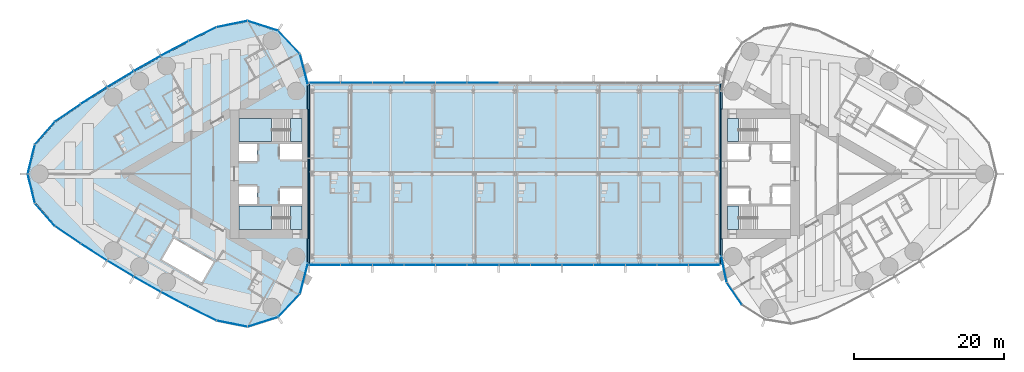
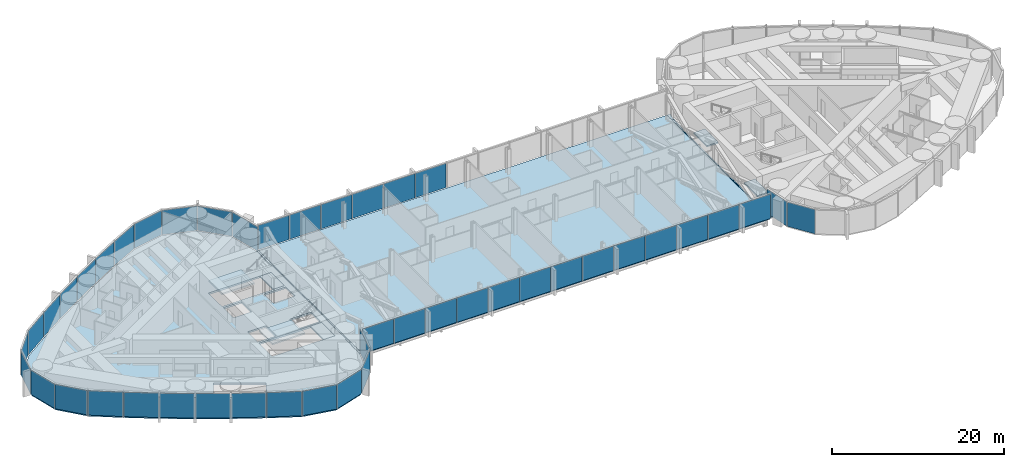
# One storey, part 13 of 24: 47 plates, 8 slabs, 8 elements without a shape of their own.
"""IFC4 building model written with IfcOpenShell, lengths in metres."""

import ifcopenshell
import ifcopenshell.guid

model = None  # the IFC model being written
_history = None  # IfcOwnerHistory: only IFC2X3 demands one
_inside = {}  # id of a spatial element -> (the spatial element, [elements in it])
_under = {}  # id of a project, library or spatial element -> (it, [spatial elements below it])
_declared = {}  # id of a project -> (the project, [libraries it declares])
_typed = {}  # id of a type object -> (the type object, [elements of that type])
_made_of = {}  # id of a material, layer set ... -> (it, [elements and type objects made of it])


def new_model(schema):
    """Start an empty IFC model of exactly this schema.

    Asked for "IFC4X3", IfcOpenShell would pick the latest addendum, in which some entities
    have other attributes; the version numbers below select the first issue.
    IFC2X3 requires an IfcOwnerHistory on every rooted entity: one is made here for all.
    """
    global model, _history
    if schema == "IFC4X3":
        model = ifcopenshell.file(schema_version=(4, 3, 0, 0))
    else:
        model = ifcopenshell.file(schema=schema)
    _inside.clear()
    _under.clear()
    _declared.clear()
    _typed.clear()
    _made_of.clear()
    _history = None
    if model.schema == "IFC2X3":
        org = make("IfcOrganization", Name="unknown")
        user = make(
            "IfcPersonAndOrganization",
            ThePerson=make("IfcPerson", FamilyName="unknown"),
            TheOrganization=org,
        )
        app = make(
            "IfcApplication",
            ApplicationDeveloper=org,
            Version="unknown",
            ApplicationFullName="unknown",
            ApplicationIdentifier="unknown",
        )
        _history = make(
            "IfcOwnerHistory",
            OwningUser=user,
            OwningApplication=app,
            ChangeAction="ADDED",
            CreationDate=0,
        )
    return model


def make(cls, **values):
    """One entity of the class cls with the attributes given. An attribute that is None is left unset."""
    return model.create_entity(
        cls, **{name: value for name, value in values.items() if value is not None}
    )


def rooted(cls, **values):
    """An entity with a GlobalId (a new one), such as an element, a storey or a relation."""
    return make(cls, GlobalId=ifcopenshell.guid.new(), OwnerHistory=_history, **values)


def si_unit(unit_type, name, prefix=None):
    """IfcSIUnit, for example si_unit("LENGTHUNIT", "METRE", prefix="MILLI")."""
    return make("IfcSIUnit", UnitType=unit_type, Prefix=prefix, Name=name)


def assignment(units):
    """IfcUnitAssignment: the units of a project."""
    return None if units is None else make("IfcUnitAssignment", Units=units)


def point(xyz):
    """IfcCartesianPoint."""
    return None if xyz is None else make("IfcCartesianPoint", Coordinates=xyz)


def direction(xyz):
    """IfcDirection."""
    return None if xyz is None else make("IfcDirection", DirectionRatios=xyz)


def frame(location, z_axis=None, x_axis=None):
    """IfcAxis2Placement3D, a coordinate frame: its origin and axes. An axis left out is left unset."""
    return make(
        "IfcAxis2Placement3D",
        Location=point(location),
        Axis=direction(z_axis),
        RefDirection=direction(x_axis),
    )


def frame_2d(location, x_axis=None):
    """IfcAxis2Placement2D, a coordinate frame in the plane: its origin and x axis."""
    return make(
        "IfcAxis2Placement2D", Location=point(location), RefDirection=direction(x_axis)
    )


def origin():
    """The frame at (0, 0, 0) with its axes left unset."""
    return frame((0.0, 0.0, 0.0))


def origin_2d():
    """The frame at (0, 0) in the plane with its x axis left unset."""
    return frame_2d((0.0, 0.0))


def place(relative_to, where):
    """IfcLocalPlacement: puts the frame where relative to a parent placement (None: the world)."""
    return make(
        "IfcLocalPlacement", PlacementRelTo=relative_to, RelativePlacement=where
    )


def context(
    kind, dimensions, precision=None, world=None, true_north=None, identifier=None
):
    """IfcGeometricRepresentationContext, for example the 3D "Model" context."""
    return make(
        "IfcGeometricRepresentationContext",
        ContextIdentifier=identifier,
        ContextType=kind,
        CoordinateSpaceDimension=dimensions,
        Precision=precision,
        WorldCoordinateSystem=world,
        TrueNorth=true_north,
    )


def subcontext(parent, identifier, kind, view, scale=None):
    """IfcGeometricRepresentationSubContext, for example "Body" below "Model"."""
    return make(
        "IfcGeometricRepresentationSubContext",
        ContextIdentifier=identifier,
        ContextType=kind,
        ParentContext=parent,
        TargetScale=scale,
        TargetView=view,
    )


def project(units=None, contexts=None):
    """IfcProject with its units and contexts."""
    return rooted(
        "IfcProject",
        Name="project",
        RepresentationContexts=contexts,
        UnitsInContext=assignment(units),
    )


def spatial(cls, under=None, at=None, **own):
    """A site, building, storey or space (cls), placed at a placement, below another one or the project."""
    s = rooted(cls, ObjectPlacement=at, **own)
    if under is not None:
        _under.setdefault(under.id(), (under, []))[1].append(s)
    return s


def polyline(points):
    """IfcPolyline through the points."""
    return make("IfcPolyline", Points=[point(p) for p in points])


def profile(cls, at=None, kind="AREA", **sizes):
    """A parametric profile (cls). Its sizes go by their IFC names, for example OverallWidth=200.0."""
    return make(cls, ProfileType=kind, Position=at, **sizes)


def rectangle(**sizes):
    """IfcRectangleProfileDef."""
    return profile("IfcRectangleProfileDef", **sizes)


def outline(outer, holes=None, kind="AREA"):
    """IfcArbitraryClosedProfileDef: a profile drawn as a closed curve; with holes, ...WithVoids."""
    if holes is None:
        return make("IfcArbitraryClosedProfileDef", ProfileType=kind, OuterCurve=outer)
    return make(
        "IfcArbitraryProfileDefWithVoids",
        ProfileType=kind,
        OuterCurve=outer,
        InnerCurves=holes,
    )


def extrude(swept, where, along, depth):
    """IfcExtrudedAreaSolid: the profile swept, set in the frame where, extruded along a direction by depth."""
    return make(
        "IfcExtrudedAreaSolid",
        SweptArea=swept,
        Position=where,
        ExtrudedDirection=direction(along),
        Depth=depth,
    )


def shape(context_of_items, identifier, shape_type, items):
    """IfcShapeRepresentation: the items that make up one representation, for example the "Body"."""
    return make(
        "IfcShapeRepresentation",
        ContextOfItems=context_of_items,
        RepresentationIdentifier=identifier,
        RepresentationType=shape_type,
        Items=items,
    )


def material(Name=None, Category=None):
    """IfcMaterial."""
    return make("IfcMaterial", Name=Name, Category=Category)


def layer(
    of_material, thickness, ventilated=None, Name=None, Category=None, Priority=None
):
    """IfcMaterialLayer: one layer of a wall or slab, of a material (None: an air gap)."""
    return make(
        "IfcMaterialLayer",
        Material=of_material,
        LayerThickness=thickness,
        IsVentilated=ventilated,
        Name=Name,
        Category=Category,
        Priority=Priority,
    )


def layer_set(layers, Name=None):
    """IfcMaterialLayerSet."""
    return make("IfcMaterialLayerSet", MaterialLayers=layers, LayerSetName=Name)


def made_of(thing, what):
    """Note that an element or type object is made of a material, layer set ...; save() writes the relation."""
    if what is not None:
        _made_of.setdefault(what.id(), (what, []))[1].append(thing)
    return thing


def type_object(cls, material=None, **own):
    """A type object (cls), such as IfcWallType, which elements share."""
    return made_of(rooted(cls, **own), material)


def element(
    cls,
    number,
    at=None,
    inside=None,
    cuts=None,
    type_object=None,
    material=None,
    context=None,
    identifier="Body",
    shape_type=None,
    held_by="IfcProductDefinitionShape",
    body=None,
    shapes=None,
    **own,
):
    """One element of the class cls, such as IfcWall. Its Tag is "e" and its number.

    at: its placement. inside: the storey or other place that contains it. cuts: it is an
    opening in that element (IfcRelVoidsElement). A single representation is given by context,
    identifier, shape_type and body (its items); several are given by shapes. held_by: the class
    of the entity that holds the representations. save() writes the other relations.
    """
    e = rooted(cls, Tag="e%d" % number, ObjectPlacement=at, **own)
    if body is not None:
        shapes = [shape(context, identifier, shape_type, body)]
    if shapes is not None:
        e.Representation = make(held_by, Representations=shapes)
    if inside is not None:
        _inside.setdefault(inside.id(), (inside, []))[1].append(e)
    if cuts is not None:
        rooted(
            "IfcRelVoidsElement", RelatingBuildingElement=cuts, RelatedOpeningElement=e
        )
    if type_object is not None:
        _typed.setdefault(type_object.id(), (type_object, []))[1].append(e)
    return made_of(e, material)


def aggregate(whole, parts):
    """IfcRelAggregates: a whole, such as a stair, and the parts it consists of."""
    return rooted("IfcRelAggregates", RelatingObject=whole, RelatedObjects=parts)


def save(model, path):
    """Write the relations noted so far, then the file.

    IfcRelAggregates (storeys below a building ...), IfcRelContainedInSpatialStructure (elements
    in a storey), IfcRelDefinesByType, IfcRelAssociatesMaterial and IfcRelDeclares: one each for
    every whole, place, type object, material and project.
    """
    for whole, parts in _under.values():
        aggregate(whole, parts)
    for where, things in _inside.values():
        rooted(
            "IfcRelContainedInSpatialStructure",
            RelatedElements=things,
            RelatingStructure=where,
        )
    for kind, things in _typed.values():
        rooted("IfcRelDefinesByType", RelatedObjects=things, RelatingType=kind)
    for what, things in _made_of.values():
        rooted("IfcRelAssociatesMaterial", RelatedObjects=things, RelatingMaterial=what)
    for by, libraries in _declared.values():
        rooted("IfcRelDeclares", RelatingContext=by, RelatedDefinitions=libraries)
    model.write(path)


model = new_model("IFC4")

# Units and contexts
model_context = context("Model", 3, precision=1e-05, world=origin(), true_north=direction((0.0, 1.0)))
body_context = subcontext(model_context, "Body", "Model", "MODEL_VIEW")
ifc_project = project(units=[si_unit("LENGTHUNIT", "METRE"), si_unit("AREAUNIT", "SQUARE_METRE"), si_unit("VOLUMEUNIT", "CUBIC_METRE"), si_unit("PLANEANGLEUNIT", "RADIAN"), si_unit("MASSUNIT", "GRAM", prefix="KILO")], contexts=[model_context])

# Site, building, storey
site_placement = place(None, origin())
site = spatial("IfcSite", under=ifc_project, at=site_placement, CompositionType="ELEMENT")
building_placement = place(site_placement, origin())
building = spatial("IfcBuilding", under=site, at=building_placement, Name="Lancet Gate Hotel", CompositionType="ELEMENT")
storey_placement = place(building_placement, frame((0.0, 0.0, 236.89990234375)))
storey = spatial("IfcBuildingStorey", under=building, at=storey_placement, Name="L63", CompositionType="ELEMENT", Elevation=236.89990234375)

# Curtain wall, plates
ifc_material_1 = material(Name="Aluminium curtain wall", Category="aluminium")
curtain_wall_type_1 = type_object("IfcCurtainWallType", Name="Bridge block curtain wall", PredefinedType="USERDEFINED", material=ifc_material_1)
curtain_wall_1_placement = place(storey_placement, origin())
curtain_wall_1 = element("IfcCurtainWall", 1, at=curtain_wall_1_placement, inside=storey, type_object=curtain_wall_type_1, Name="Bridge block L63 curtain wall S", ObjectType="UNITISED CURTAIN WALL", PredefinedType="USERDEFINED")
ifc_material_2 = material(Name="Glass double glazed unit 8-16-6", Category="glass")
ifc_layer_1 = layer(ifc_material_2, 0.030029296875)
ifc_layer_set_1 = layer_set([ifc_layer_1], Name="Block vision panel")
plate_type_1 = type_object("IfcPlateType", Name="Block vision panel", PredefinedType="CURTAIN_PANEL", material=ifc_layer_set_1)
plate_1_placement = place(storey_placement, frame((-25.24609375, -12.1201171875, 0.0), z_axis=(0.0, 0.0, 1.0), x_axis=(1.0, 0.0, 0.0)))
plate_1 = element("IfcPlate", 2, at=plate_1_placement, type_object=plate_type_1, Name="Bridge block L63 curtain wall S panel 1", PredefinedType="CURTAIN_PANEL", context=body_context, shape_type="SweptSolid", body=[
    extrude(rectangle(XDim=4.142578125, YDim=0.030029296875, at=origin_2d()), origin(), (0.0, 0.0, 1.0), 3.449951171875),
])
plate_2_placement = place(storey_placement, frame((-21.03857421875, -12.1201171875, 0.0), z_axis=(0.0, 0.0, 1.0), x_axis=(1.0, 0.0, 0.0)))
plate_2 = element("IfcPlate", 3, at=plate_2_placement, type_object=plate_type_1, Name="Bridge block L63 curtain wall S panel 2", PredefinedType="CURTAIN_PANEL", context=body_context, shape_type="SweptSolid", body=[
    extrude(rectangle(XDim=4.142578125, YDim=0.030029296875, at=origin_2d()), origin(), (0.0, 0.0, 1.0), 3.449951171875),
])
plate_3_placement = place(storey_placement, frame((-16.830810546875, -12.1201171875, 0.0), z_axis=(0.0, 0.0, 1.0), x_axis=(1.0, 0.0, 0.0)))
plate_3 = element("IfcPlate", 4, at=plate_3_placement, type_object=plate_type_1, Name="Bridge block L63 curtain wall S panel 3", PredefinedType="CURTAIN_PANEL", context=body_context, shape_type="SweptSolid", body=[
    extrude(rectangle(XDim=4.142578125, YDim=0.030029296875, at=origin_2d()), origin(), (0.0, 0.0, 1.0), 3.449951171875),
])
plate_4_placement = place(storey_placement, frame((-12.623046875, -12.1201171875, 0.0), z_axis=(0.0, 0.0, 1.0), x_axis=(1.0, 0.0, 0.0)))
plate_4 = element("IfcPlate", 5, at=plate_4_placement, type_object=plate_type_1, Name="Bridge block L63 curtain wall S panel 4", PredefinedType="CURTAIN_PANEL", context=body_context, shape_type="SweptSolid", body=[
    extrude(rectangle(XDim=4.142578125, YDim=0.030029296875, at=origin_2d()), origin(), (0.0, 0.0, 1.0), 3.449951171875),
])
plate_5_placement = place(storey_placement, frame((-8.415283203125, -12.1201171875, 0.0), z_axis=(0.0, 0.0, 1.0), x_axis=(1.0, 0.0, 0.0)))
plate_5 = element("IfcPlate", 6, at=plate_5_placement, type_object=plate_type_1, Name="Bridge block L63 curtain wall S panel 5", PredefinedType="CURTAIN_PANEL", context=body_context, shape_type="SweptSolid", body=[
    extrude(rectangle(XDim=4.142578125, YDim=0.030029296875, at=origin_2d()), origin(), (0.0, 0.0, 1.0), 3.449951171875),
])
plate_6_placement = place(storey_placement, frame((-4.207763671875, -12.1201171875, 0.0), z_axis=(0.0, 0.0, 1.0), x_axis=(1.0, 0.0, 0.0)))
plate_6 = element("IfcPlate", 7, at=plate_6_placement, type_object=plate_type_1, Name="Bridge block L63 curtain wall S panel 6", PredefinedType="CURTAIN_PANEL", context=body_context, shape_type="SweptSolid", body=[
    extrude(rectangle(XDim=4.142578125, YDim=0.030029296875, at=origin_2d()), origin(), (0.0, 0.0, 1.0), 3.449951171875),
])
plate_7_placement = place(storey_placement, frame((0.0, -12.1201171875, 0.0), z_axis=(0.0, 0.0, 1.0), x_axis=(1.0, 0.0, 0.0)))
plate_7 = element("IfcPlate", 8, at=plate_7_placement, type_object=plate_type_1, Name="Bridge block L63 curtain wall S panel 7", PredefinedType="CURTAIN_PANEL", context=body_context, shape_type="SweptSolid", body=[
    extrude(rectangle(XDim=4.142578125, YDim=0.030029296875, at=origin_2d()), origin(), (0.0, 0.0, 1.0), 3.449951171875),
])
plate_8_placement = place(storey_placement, frame((4.207763671875, -12.1201171875, 0.0), z_axis=(0.0, 0.0, 1.0), x_axis=(1.0, 0.0, 0.0)))
plate_8 = element("IfcPlate", 9, at=plate_8_placement, type_object=plate_type_1, Name="Bridge block L63 curtain wall S panel 8", PredefinedType="CURTAIN_PANEL", context=body_context, shape_type="SweptSolid", body=[
    extrude(rectangle(XDim=4.142578125, YDim=0.030029296875, at=origin_2d()), origin(), (0.0, 0.0, 1.0), 3.449951171875),
])
plate_9_placement = place(storey_placement, frame((8.415283203125, -12.1201171875, 0.0), z_axis=(0.0, 0.0, 1.0), x_axis=(1.0, 0.0, 0.0)))
plate_9 = element("IfcPlate", 10, at=plate_9_placement, type_object=plate_type_1, Name="Bridge block L63 curtain wall S panel 9", PredefinedType="CURTAIN_PANEL", context=body_context, shape_type="SweptSolid", body=[
    extrude(rectangle(XDim=4.142578125, YDim=0.030029296875, at=origin_2d()), origin(), (0.0, 0.0, 1.0), 3.449951171875),
])
plate_10_placement = place(storey_placement, frame((12.623046875, -12.1201171875, 0.0), z_axis=(0.0, 0.0, 1.0), x_axis=(1.0, 0.0, 0.0)))
plate_10 = element("IfcPlate", 11, at=plate_10_placement, type_object=plate_type_1, Name="Bridge block L63 curtain wall S panel 10", PredefinedType="CURTAIN_PANEL", context=body_context, shape_type="SweptSolid", body=[
    extrude(rectangle(XDim=4.142578125, YDim=0.030029296875, at=origin_2d()), origin(), (0.0, 0.0, 1.0), 3.449951171875),
])
plate_11_placement = place(storey_placement, frame((16.830810546875, -12.1201171875, 0.0), z_axis=(0.0, 0.0, 1.0), x_axis=(1.0, 0.0, 0.0)))
plate_11 = element("IfcPlate", 12, at=plate_11_placement, type_object=plate_type_1, Name="Bridge block L63 curtain wall S panel 11", PredefinedType="CURTAIN_PANEL", context=body_context, shape_type="SweptSolid", body=[
    extrude(rectangle(XDim=4.142578125, YDim=0.030029296875, at=origin_2d()), origin(), (0.0, 0.0, 1.0), 3.449951171875),
])
plate_12_placement = place(storey_placement, frame((21.03857421875, -12.1201171875, 0.0), z_axis=(0.0, 0.0, 1.0), x_axis=(1.0, 0.0, 0.0)))
plate_12 = element("IfcPlate", 13, at=plate_12_placement, type_object=plate_type_1, Name="Bridge block L63 curtain wall S panel 12", PredefinedType="CURTAIN_PANEL", context=body_context, shape_type="SweptSolid", body=[
    extrude(rectangle(XDim=4.142578125, YDim=0.030029296875, at=origin_2d()), origin(), (0.0, 0.0, 1.0), 3.449951171875),
])
plate_13_placement = place(storey_placement, frame((25.24609375, -12.1201171875, 0.0), z_axis=(0.0, 0.0, 1.0), x_axis=(1.0, 0.0, 0.0)))
plate_13 = element("IfcPlate", 14, at=plate_13_placement, type_object=plate_type_1, Name="Bridge block L63 curtain wall S panel 13", PredefinedType="CURTAIN_PANEL", context=body_context, shape_type="SweptSolid", body=[
    extrude(rectangle(XDim=4.142578125, YDim=0.030029296875, at=origin_2d()), origin(), (0.0, 0.0, 1.0), 3.449951171875),
])
aggregate(curtain_wall_1, [plate_1, plate_2, plate_3, plate_4, plate_5, plate_6, plate_7, plate_8, plate_9, plate_10, plate_11, plate_12, plate_13])

curtain_wall_2_placement = place(storey_placement, origin())
curtain_wall_2 = element("IfcCurtainWall", 15, at=curtain_wall_2_placement, inside=storey, type_object=curtain_wall_type_1, Name="Bridge block L63 curtain wall N", ObjectType="UNITISED CURTAIN WALL", PredefinedType="USERDEFINED")
plate_14_placement = place(storey_placement, frame((-4.207763671875, 12.1201171875, 0.0), z_axis=(0.0, 0.0, 1.0), x_axis=(-1.0, 0.0, 0.0)))
plate_14 = element("IfcPlate", 16, at=plate_14_placement, type_object=plate_type_1, Name="Bridge block L63 curtain wall N panel 8", PredefinedType="CURTAIN_PANEL", context=body_context, shape_type="SweptSolid", body=[
    extrude(rectangle(XDim=4.142578125, YDim=0.030029296875, at=origin_2d()), origin(), (0.0, 0.0, 1.0), 3.449951171875),
])
plate_15_placement = place(storey_placement, frame((-8.415283203125, 12.1201171875, 0.0), z_axis=(0.0, 0.0, 1.0), x_axis=(-1.0, 0.0, 0.0)))
plate_15 = element("IfcPlate", 17, at=plate_15_placement, type_object=plate_type_1, Name="Bridge block L63 curtain wall N panel 9", PredefinedType="CURTAIN_PANEL", context=body_context, shape_type="SweptSolid", body=[
    extrude(rectangle(XDim=4.142578125, YDim=0.030029296875, at=origin_2d()), origin(), (0.0, 0.0, 1.0), 3.449951171875),
])
plate_16_placement = place(storey_placement, frame((-12.623046875, 12.1201171875, 0.0), z_axis=(0.0, 0.0, 1.0), x_axis=(-1.0, 0.0, 0.0)))
plate_16 = element("IfcPlate", 18, at=plate_16_placement, type_object=plate_type_1, Name="Bridge block L63 curtain wall N panel 10", PredefinedType="CURTAIN_PANEL", context=body_context, shape_type="SweptSolid", body=[
    extrude(rectangle(XDim=4.142578125, YDim=0.030029296875, at=origin_2d()), origin(), (0.0, 0.0, 1.0), 3.449951171875),
])
plate_17_placement = place(storey_placement, frame((-16.830810546875, 12.1201171875, 0.0), z_axis=(0.0, 0.0, 1.0), x_axis=(-1.0, 0.0, 0.0)))
plate_17 = element("IfcPlate", 19, at=plate_17_placement, type_object=plate_type_1, Name="Bridge block L63 curtain wall N panel 11", PredefinedType="CURTAIN_PANEL", context=body_context, shape_type="SweptSolid", body=[
    extrude(rectangle(XDim=4.142578125, YDim=0.030029296875, at=origin_2d()), origin(), (0.0, 0.0, 1.0), 3.449951171875),
])
plate_18_placement = place(storey_placement, frame((-21.03857421875, 12.1201171875, 0.0), z_axis=(0.0, 0.0, 1.0), x_axis=(-1.0, 0.0, 0.0)))
plate_18 = element("IfcPlate", 20, at=plate_18_placement, type_object=plate_type_1, Name="Bridge block L63 curtain wall N panel 12", PredefinedType="CURTAIN_PANEL", context=body_context, shape_type="SweptSolid", body=[
    extrude(rectangle(XDim=4.142578125, YDim=0.030029296875, at=origin_2d()), origin(), (0.0, 0.0, 1.0), 3.449951171875),
])
plate_19_placement = place(storey_placement, frame((-25.24609375, 12.1201171875, 0.0), z_axis=(0.0, 0.0, 1.0), x_axis=(-1.0, 0.0, 0.0)))
plate_19 = element("IfcPlate", 21, at=plate_19_placement, type_object=plate_type_1, Name="Bridge block L63 curtain wall N panel 13", PredefinedType="CURTAIN_PANEL", context=body_context, shape_type="SweptSolid", body=[
    extrude(rectangle(XDim=4.142578125, YDim=0.030029296875, at=origin_2d()), origin(), (0.0, 0.0, 1.0), 3.449951171875),
])
aggregate(curtain_wall_2, [plate_14, plate_15, plate_16, plate_17, plate_18, plate_19])

# Slabs
ifc_material_3 = material(Name="Concrete C40/50", Category="concrete")
ifc_layer_2 = layer(ifc_material_3, 0.199951171875)
ifc_layer_set_2 = layer_set([ifc_layer_2], Name="Composite floor slab 200")
slab_type_1 = type_object("IfcSlabType", Name="Composite floor slab 200", PredefinedType="FLOOR", material=ifc_layer_set_2)
slab_1_placement = place(storey_placement, frame((0.0, 0.0, -0.199951171875)))
element("IfcSlab", 22, at=slab_1_placement, inside=storey, type_object=slab_type_1, Name="Bridge block L63 floor slab", PredefinedType="FLOOR", context=body_context, shape_type="SweptSolid", body=[
    extrude(outline(polyline([(27.35009765625, -12.0), (27.35009765625, 12.0), (-27.35009765625, 12.0), (-27.35009765625, -12.0), (27.35009765625, -12.0)])), origin(), (0.0, 0.0, 1.0), 0.199951171875),
])
ifc_material_4 = material(Name="Concrete C50/60", Category="concrete")
ifc_layer_3 = layer(ifc_material_4, 0.25)
ifc_layer_set_3 = layer_set([ifc_layer_3], Name="Floor slab 250")
slab_type_2 = type_object("IfcSlabType", Name="Floor slab 250", PredefinedType="FLOOR", material=ifc_layer_set_3)
slab_2_placement = place(storey_placement, frame((0.0, 0.0, -0.25)))
element("IfcSlab", 23, at=slab_2_placement, inside=storey, type_object=slab_type_2, Name="T1 L63 floor slab", PredefinedType="FLOOR", context=body_context, shape_type="SweptSolid", body=[
    extrude(outline(polyline([(-27.5, 8.60009765625), (-27.6201171875, 8.60009765625), (-27.6201171875, 11.84619140625), (-28.668701171875, 15.912353515625), (-31.542236328125, 18.95263671875), (-35.52783203125, 20.22412109375), (-39.645751953125, 19.40673828125), (-43.344482421875, 17.565673828125), (-47.005126953125, 15.618896484375), (-50.61181640625, 13.574462890625), (-54.162353515625, 11.43359375), (-57.654052734375, 9.197998046875), (-61.072998046875, 6.876708984375), (-63.71240234375, 3.871337890625), (-64.66064453125, 0.0), (-63.71240234375, -3.871337890625), (-61.072998046875, -6.876708984375), (-57.654052734375, -9.197998046875), (-54.162353515625, -11.43359375), (-50.61181640625, -13.574462890625), (-47.005126953125, -15.618896484375), (-43.344482421875, -17.565673828125), (-39.645751953125, -19.40673828125), (-35.52783203125, -20.22412109375), (-31.542236328125, -18.95263671875), (-28.668701171875, -15.912353515625), (-27.6201171875, -11.84619140625), (-27.6201171875, -8.60009765625), (-27.5, -8.60009765625), (-27.5, -8.199951171875), (-27.5, 8.199951171875), (-27.5, 8.60009765625)]), holes=[polyline([(-36.699951171875, 7.39990234375), (-36.699951171875, 4.300048828125), (-28.300048828125, 4.300048828125), (-28.300048828125, 7.39990234375), (-36.699951171875, 7.39990234375)]), polyline([(-28.300048828125, 4.0), (-31.199951171875, 4.0), (-31.199951171875, 1.89990234375), (-28.300048828125, 1.89990234375), (-28.300048828125, 4.0)]), polyline([(-34.25, 4.0), (-36.699951171875, 4.0), (-36.699951171875, 1.64990234375), (-34.25, 1.64990234375), (-34.25, 4.0)]), polyline([(-36.699951171875, -1.64990234375), (-36.699951171875, -4.0), (-34.25, -4.0), (-34.25, -1.64990234375), (-36.699951171875, -1.64990234375)]), polyline([(-28.300048828125, -1.89990234375), (-31.199951171875, -1.89990234375), (-31.199951171875, -4.0), (-28.300048828125, -4.0), (-28.300048828125, -1.89990234375)]), polyline([(-28.300048828125, -4.300048828125), (-36.699951171875, -4.300048828125), (-36.699951171875, -7.39990234375), (-28.300048828125, -7.39990234375), (-28.300048828125, -4.300048828125)]), polyline([(-45.319091796875, -8.631103515625), (-46.9189453125, -11.402099609375), (-41.635986328125, -14.451904296875), (-40.035888671875, -11.680908203125), (-45.319091796875, -8.631103515625)])]), origin(), (0.0, 0.0, 1.0), 0.25),
])

# Plates
ifc_material_5 = material(Name="Aluminium chequer plate", Category="aluminium")
ifc_layer_4 = layer(ifc_material_5, 0.014892578125)
ifc_layer_set_4 = layer_set([ifc_layer_4], Name="Movement joint cover plate 15")
plate_type_2 = type_object("IfcPlateType", Name="Movement joint cover plate 15", PredefinedType="SHEET", material=ifc_layer_set_4)
plate_20_placement = place(storey_placement, frame((0.0, 0.0, -0.014892578125)))
element("IfcPlate", 24, at=plate_20_placement, inside=storey, type_object=plate_type_2, Name="Movement joint cover plate T1 L63", PredefinedType="SHEET", context=body_context, shape_type="SweptSolid", body=[
    extrude(outline(polyline([(-27.35009765625, 12.0), (-27.65966796875, 12.0), (-27.6201171875, 11.84619140625), (-27.6201171875, 8.60009765625), (-27.5, 8.60009765625), (-27.5, 8.199951171875), (-27.5, -8.199951171875), (-27.5, -8.60009765625), (-27.6201171875, -8.60009765625), (-27.6201171875, -11.84619140625), (-27.65966796875, -12.0), (-27.35009765625, -12.0), (-27.35009765625, 12.0)])), origin(), (0.0, 0.0, 1.0), 0.014892578125),
])
plate_21_placement = place(storey_placement, frame((0.0, 0.0, -0.014892578125)))
element("IfcPlate", 25, at=plate_21_placement, inside=storey, type_object=plate_type_2, Name="Movement joint cover plate T2 L63", PredefinedType="SHEET", context=body_context, shape_type="SweptSolid", body=[
    extrude(outline(polyline([(27.35009765625, -12.0), (27.836669921875, -12.0), (27.6201171875, -10.93603515625), (27.6201171875, -8.60009765625), (27.5, -8.60009765625), (27.5, -8.199951171875), (27.5, 8.199951171875), (27.5, 8.60009765625), (27.6201171875, 8.60009765625), (27.6201171875, 10.93603515625), (27.836669921875, 12.0), (27.35009765625, 12.0), (27.35009765625, -12.0)])), origin(), (0.0, 0.0, 1.0), 0.014892578125),
])

# Stair, slabs
ifc_material_6 = material(Name="Exit stair 20 risers 1500")
stair_type = type_object("IfcStairType", Name="Exit stair 20 risers 1500", PredefinedType="HALF_TURN_STAIR", material=ifc_material_6)
stair_1_placement = place(storey_placement, origin())
stair_1 = element("IfcStair", 26, at=stair_1_placement, inside=storey, type_object=stair_type, Name="T1 stair 1 L63", PredefinedType="HALF_TURN_STAIR")
ifc_material_7 = material(Name="Concrete C40/50", Category="concrete")
ifc_layer_5 = layer(ifc_material_7, 0.199951171875)
ifc_layer_set_5 = layer_set([ifc_layer_5], Name="Stair landing 200")
slab_type_3 = type_object("IfcSlabType", Name="Stair landing 200", PredefinedType="LANDING", material=ifc_layer_set_5)
slab_3_placement = place(storey_placement, frame((0.0, 0.0, -0.199951171875)))
slab_3 = element("IfcSlab", 27, at=slab_3_placement, type_object=slab_type_3, Name="ST1 landing 1", PredefinedType="LANDING", context=body_context, shape_type="SweptSolid", body=[
    extrude(outline(polyline([(-28.300048828125, 7.39990234375), (-29.800048828125, 7.39990234375), (-29.800048828125, 4.300048828125), (-28.300048828125, 4.300048828125), (-28.300048828125, 7.39990234375)])), origin(), (0.0, 0.0, 1.0), 0.199951171875),
])
slab_4_placement = place(storey_placement, frame((0.0, 0.0, 1.60009765625)))
slab_4 = element("IfcSlab", 28, at=slab_4_placement, type_object=slab_type_3, Name="ST1 landing 2", PredefinedType="LANDING", context=body_context, shape_type="SweptSolid", body=[
    extrude(outline(polyline([(-32.320068359375, 7.39990234375), (-36.699951171875, 7.39990234375), (-36.699951171875, 4.300048828125), (-32.320068359375, 4.300048828125), (-32.320068359375, 7.39990234375)])), origin(), (0.0, 0.0, 1.0), 0.199951171875),
])
aggregate(stair_1, [slab_3, slab_4])

stair_2_placement = place(storey_placement, origin())
stair_2 = element("IfcStair", 29, at=stair_2_placement, inside=storey, type_object=stair_type, Name="T1 stair 2 L63", PredefinedType="HALF_TURN_STAIR")
slab_5_placement = place(storey_placement, frame((0.0, 0.0, -0.199951171875)))
slab_5 = element("IfcSlab", 30, at=slab_5_placement, type_object=slab_type_3, Name="ST2 landing 1", PredefinedType="LANDING", context=body_context, shape_type="SweptSolid", body=[
    extrude(outline(polyline([(-28.300048828125, -4.300048828125), (-29.800048828125, -4.300048828125), (-29.800048828125, -7.39990234375), (-28.300048828125, -7.39990234375), (-28.300048828125, -4.300048828125)])), origin(), (0.0, 0.0, 1.0), 0.199951171875),
])
slab_6_placement = place(storey_placement, frame((0.0, 0.0, 1.60009765625)))
slab_6 = element("IfcSlab", 31, at=slab_6_placement, type_object=slab_type_3, Name="ST2 landing 2", PredefinedType="LANDING", context=body_context, shape_type="SweptSolid", body=[
    extrude(outline(polyline([(-32.320068359375, -4.300048828125), (-36.699951171875, -4.300048828125), (-36.699951171875, -7.39990234375), (-32.320068359375, -7.39990234375), (-32.320068359375, -4.300048828125)])), origin(), (0.0, 0.0, 1.0), 0.199951171875),
])
aggregate(stair_2, [slab_5, slab_6])

# Stair, slab
stair_3_placement = place(storey_placement, origin())
stair_3 = element("IfcStair", 32, at=stair_3_placement, inside=storey, type_object=stair_type, Name="T2 stair 1 L63", PredefinedType="HALF_TURN_STAIR")
slab_7_placement = place(storey_placement, frame((0.0, 0.0, -0.199951171875)))
slab_7 = element("IfcSlab", 33, at=slab_7_placement, type_object=slab_type_3, Name="ST3 landing 1", PredefinedType="LANDING", context=body_context, shape_type="SweptSolid", body=[
    extrude(outline(polyline([(28.300048828125, -7.39990234375), (29.800048828125, -7.39990234375), (29.800048828125, -4.300048828125), (28.300048828125, -4.300048828125), (28.300048828125, -7.39990234375)])), origin(), (0.0, 0.0, 1.0), 0.199951171875),
])
aggregate(stair_3, [slab_7])

stair_4_placement = place(storey_placement, origin())
stair_4 = element("IfcStair", 34, at=stair_4_placement, inside=storey, type_object=stair_type, Name="T2 stair 2 L63", PredefinedType="HALF_TURN_STAIR")
slab_8_placement = place(storey_placement, frame((0.0, 0.0, -0.199951171875)))
slab_8 = element("IfcSlab", 35, at=slab_8_placement, type_object=slab_type_3, Name="ST4 landing 1", PredefinedType="LANDING", context=body_context, shape_type="SweptSolid", body=[
    extrude(outline(polyline([(28.300048828125, 4.300048828125), (29.800048828125, 4.300048828125), (29.800048828125, 7.39990234375), (28.300048828125, 7.39990234375), (28.300048828125, 4.300048828125)])), origin(), (0.0, 0.0, 1.0), 0.199951171875),
])
aggregate(stair_4, [slab_8])

# Curtain wall, plates
ifc_material_8 = material(Name="Aluminium curtain wall", Category="aluminium")
curtain_wall_type_2 = type_object("IfcCurtainWallType", Name="Tower unitised curtain wall", PredefinedType="USERDEFINED", material=ifc_material_8)
curtain_wall_3_placement = place(storey_placement, origin())
curtain_wall_3 = element("IfcCurtainWall", 36, at=curtain_wall_3_placement, inside=storey, type_object=curtain_wall_type_2, Name="T1 L63 curtain wall 1", ObjectType="UNITISED CURTAIN WALL", PredefinedType="USERDEFINED")
ifc_material_9 = material(Name="Glass double glazed unit 8-16-6", Category="glass")
ifc_layer_6 = layer(ifc_material_9, 0.030029296875)
ifc_layer_set_6 = layer_set([ifc_layer_6], Name="Vision panel double glazed")
plate_type_3 = type_object("IfcPlateType", Name="Vision panel double glazed", PredefinedType="CURTAIN_PANEL", material=ifc_layer_set_6)
plate_22_placement = place(storey_placement, frame((-28.030029296875, 13.9169921875, 0.0), z_axis=(0.0, 0.0, 1.0), x_axis=(-0.249725827997, 0.968316586056, 0.0)))
plate_22 = element("IfcPlate", 37, at=plate_22_placement, type_object=plate_type_3, Name="T1 L63 curtain wall 1 panel 1", PredefinedType="CURTAIN_PANEL", context=body_context, shape_type="SweptSolid", body=[
    extrude(rectangle(XDim=4.180419921875, YDim=0.030029296875, at=origin_2d()), origin(), (0.0, 0.0, 1.0), 3.449951171875),
])
plate_23_placement = place(storey_placement, frame((-30.018310546875, 17.514892578125, 0.0), z_axis=(0.0, 0.0, 1.0), x_axis=(-0.686882887577, 0.726768118972, 0.0)))
plate_23 = element("IfcPlate", 38, at=plate_23_placement, type_object=plate_type_3, Name="T1 L63 curtain wall 1 panel 2", PredefinedType="CURTAIN_PANEL", context=body_context, shape_type="SweptSolid", body=[
    extrude(rectangle(XDim=4.180419921875, YDim=0.030029296875, at=origin_2d()), origin(), (0.0, 0.0, 1.0), 3.449951171875),
])
plate_24_placement = place(storey_placement, frame((-33.49853515625, 19.702880859375, 0.0), z_axis=(0.0, 0.0, 1.0), x_axis=(-0.952695666833, 0.303925922549, 0.0)))
plate_24 = element("IfcPlate", 39, at=plate_24_placement, type_object=plate_type_3, Name="T1 L63 curtain wall 1 panel 3", PredefinedType="CURTAIN_PANEL", context=body_context, shape_type="SweptSolid", body=[
    extrude(rectangle(XDim=4.180419921875, YDim=0.030029296875, at=origin_2d()), origin(), (0.0, 0.0, 1.0), 3.449951171875),
])
plate_25_placement = place(storey_placement, frame((-37.602783203125, 19.9345703125, 0.0), z_axis=(0.0, 0.0, 1.0), x_axis=(-0.980856647866, -0.194731189942, 0.0)))
plate_25 = element("IfcPlate", 40, at=plate_25_placement, type_object=plate_type_3, Name="T1 L63 curtain wall 1 panel 4", PredefinedType="CURTAIN_PANEL", context=body_context, shape_type="SweptSolid", body=[
    extrude(rectangle(XDim=4.180419921875, YDim=0.030029296875, at=origin_2d()), origin(), (0.0, 0.0, 1.0), 3.449951171875),
])
plate_26_placement = place(storey_placement, frame((-41.5419921875, 18.5966796875, 0.0), z_axis=(0.0, 0.0, 1.0), x_axis=(-0.895234030262, -0.445596264639, 0.0)))
plate_26 = element("IfcPlate", 41, at=plate_26_placement, type_object=plate_type_3, Name="T1 L63 curtain wall 1 panel 5", PredefinedType="CURTAIN_PANEL", context=body_context, shape_type="SweptSolid", body=[
    extrude(rectangle(XDim=4.084228515625, YDim=0.030029296875, at=origin_2d()), origin(), (0.0, 0.0, 1.0), 3.449951171875),
])
plate_27_placement = place(storey_placement, frame((-45.23095703125, 16.6982421875, 0.0), z_axis=(0.0, 0.0, 1.0), x_axis=(-0.882915941615, -0.469531085277, 0.0)))
plate_27 = element("IfcPlate", 42, at=plate_27_placement, type_object=plate_type_3, Name="T1 L63 curtain wall 1 panel 6", PredefinedType="CURTAIN_PANEL", context=body_context, shape_type="SweptSolid", body=[
    extrude(rectangle(XDim=4.084228515625, YDim=0.030029296875, at=origin_2d()), origin(), (0.0, 0.0, 1.0), 3.449951171875),
])
plate_28_placement = place(storey_placement, frame((-48.86767578125, 14.701171875, 0.0), z_axis=(0.0, 0.0, 1.0), x_axis=(-0.869958082404, -0.493125678565, 0.0)))
plate_28 = element("IfcPlate", 43, at=plate_28_placement, type_object=plate_type_3, Name="T1 L63 curtain wall 1 panel 7", PredefinedType="CURTAIN_PANEL", context=body_context, shape_type="SweptSolid", body=[
    extrude(rectangle(XDim=4.084228515625, YDim=0.030029296875, at=origin_2d()), origin(), (0.0, 0.0, 1.0), 3.449951171875),
])
plate_29_placement = place(storey_placement, frame((-52.44921875, 12.606689453125, 0.0), z_axis=(0.0, 0.0, 1.0), x_axis=(-0.85636984205, -0.516362947574, 0.0)))
plate_29 = element("IfcPlate", 44, at=plate_29_placement, type_object=plate_type_3, Name="T1 L63 curtain wall 1 panel 8", PredefinedType="CURTAIN_PANEL", context=body_context, shape_type="SweptSolid", body=[
    extrude(rectangle(XDim=4.084228515625, YDim=0.030029296875, at=origin_2d()), origin(), (0.0, 0.0, 1.0), 3.449951171875),
])
plate_30_placement = place(storey_placement, frame((-55.972900390625, 10.416748046875, 0.0), z_axis=(0.0, 0.0, 1.0), x_axis=(-0.842161066725, -0.539226054352, 0.0)))
plate_30 = element("IfcPlate", 45, at=plate_30_placement, type_object=plate_type_3, Name="T1 L63 curtain wall 1 panel 9", PredefinedType="CURTAIN_PANEL", context=body_context, shape_type="SweptSolid", body=[
    extrude(rectangle(XDim=4.084228515625, YDim=0.030029296875, at=origin_2d()), origin(), (0.0, 0.0, 1.0), 3.449951171875),
])
plate_31_placement = place(storey_placement, frame((-59.4365234375, 8.1328125, 0.0), z_axis=(0.0, 0.0, 1.0), x_axis=(-0.827342052281, -0.561698432014, 0.0)))
plate_31 = element("IfcPlate", 46, at=plate_31_placement, type_object=plate_type_3, Name="T1 L63 curtain wall 1 panel 10", PredefinedType="CURTAIN_PANEL", context=body_context, shape_type="SweptSolid", body=[
    extrude(rectangle(XDim=4.084228515625, YDim=0.030029296875, at=origin_2d()), origin(), (0.0, 0.0, 1.0), 3.449951171875),
])
plate_32_placement = place(storey_placement, frame((-62.487548828125, 5.447998046875, 0.0), z_axis=(0.0, 0.0, 1.0), x_axis=(-0.659891635916, -0.751360784742, 0.0)))
plate_32 = element("IfcPlate", 47, at=plate_32_placement, type_object=plate_type_3, Name="T1 L63 curtain wall 1 panel 11", PredefinedType="CURTAIN_PANEL", context=body_context, shape_type="SweptSolid", body=[
    extrude(rectangle(XDim=3.979736328125, YDim=0.030029296875, at=origin_2d()), origin(), (0.0, 0.0, 1.0), 3.449951171875),
])
plate_33_placement = place(storey_placement, frame((-64.30322265625, 1.96435546875, 0.0), z_axis=(0.0, 0.0, 1.0), x_axis=(-0.237921018621, -0.971284504612, 0.0)))
plate_33 = element("IfcPlate", 48, at=plate_33_placement, type_object=plate_type_3, Name="T1 L63 curtain wall 1 panel 12", PredefinedType="CURTAIN_PANEL", context=body_context, shape_type="SweptSolid", body=[
    extrude(rectangle(XDim=3.979736328125, YDim=0.030029296875, at=origin_2d()), origin(), (0.0, 0.0, 1.0), 3.449951171875),
])
plate_34_placement = place(storey_placement, frame((-64.30322265625, -1.96435546875, 0.0), z_axis=(0.0, 0.0, 1.0), x_axis=(0.237921018621, -0.971284504612, 0.0)))
plate_34 = element("IfcPlate", 49, at=plate_34_placement, type_object=plate_type_3, Name="T1 L63 curtain wall 1 panel 13", PredefinedType="CURTAIN_PANEL", context=body_context, shape_type="SweptSolid", body=[
    extrude(rectangle(XDim=3.979736328125, YDim=0.030029296875, at=origin_2d()), origin(), (0.0, 0.0, 1.0), 3.449951171875),
])
plate_35_placement = place(storey_placement, frame((-62.487548828125, -5.447998046875, 0.0), z_axis=(0.0, 0.0, 1.0), x_axis=(0.659891635916, -0.751360784742, 0.0)))
plate_35 = element("IfcPlate", 50, at=plate_35_placement, type_object=plate_type_3, Name="T1 L63 curtain wall 1 panel 14", PredefinedType="CURTAIN_PANEL", context=body_context, shape_type="SweptSolid", body=[
    extrude(rectangle(XDim=3.979736328125, YDim=0.030029296875, at=origin_2d()), origin(), (0.0, 0.0, 1.0), 3.449951171875),
])
plate_36_placement = place(storey_placement, frame((-59.4365234375, -8.1328125, 0.0), z_axis=(0.0, 0.0, 1.0), x_axis=(0.827342052281, -0.561698432014, 0.0)))
plate_36 = element("IfcPlate", 51, at=plate_36_placement, type_object=plate_type_3, Name="T1 L63 curtain wall 1 panel 15", PredefinedType="CURTAIN_PANEL", context=body_context, shape_type="SweptSolid", body=[
    extrude(rectangle(XDim=4.084228515625, YDim=0.030029296875, at=origin_2d()), origin(), (0.0, 0.0, 1.0), 3.449951171875),
])
plate_37_placement = place(storey_placement, frame((-55.972900390625, -10.416748046875, 0.0), z_axis=(0.0, 0.0, 1.0), x_axis=(0.842161066725, -0.539226054352, 0.0)))
plate_37 = element("IfcPlate", 52, at=plate_37_placement, type_object=plate_type_3, Name="T1 L63 curtain wall 1 panel 16", PredefinedType="CURTAIN_PANEL", context=body_context, shape_type="SweptSolid", body=[
    extrude(rectangle(XDim=4.084228515625, YDim=0.030029296875, at=origin_2d()), origin(), (0.0, 0.0, 1.0), 3.449951171875),
])
plate_38_placement = place(storey_placement, frame((-52.44921875, -12.606689453125, 0.0), z_axis=(0.0, 0.0, 1.0), x_axis=(0.85636984205, -0.516362947574, 0.0)))
plate_38 = element("IfcPlate", 53, at=plate_38_placement, type_object=plate_type_3, Name="T1 L63 curtain wall 1 panel 17", PredefinedType="CURTAIN_PANEL", context=body_context, shape_type="SweptSolid", body=[
    extrude(rectangle(XDim=4.084228515625, YDim=0.030029296875, at=origin_2d()), origin(), (0.0, 0.0, 1.0), 3.449951171875),
])
plate_39_placement = place(storey_placement, frame((-48.86767578125, -14.701171875, 0.0), z_axis=(0.0, 0.0, 1.0), x_axis=(0.869958082404, -0.493125678565, 0.0)))
plate_39 = element("IfcPlate", 54, at=plate_39_placement, type_object=plate_type_3, Name="T1 L63 curtain wall 1 panel 18", PredefinedType="CURTAIN_PANEL", context=body_context, shape_type="SweptSolid", body=[
    extrude(rectangle(XDim=4.084228515625, YDim=0.030029296875, at=origin_2d()), origin(), (0.0, 0.0, 1.0), 3.449951171875),
])
plate_40_placement = place(storey_placement, frame((-45.23095703125, -16.6982421875, 0.0), z_axis=(0.0, 0.0, 1.0), x_axis=(0.882915941615, -0.469531085277, 0.0)))
plate_40 = element("IfcPlate", 55, at=plate_40_placement, type_object=plate_type_3, Name="T1 L63 curtain wall 1 panel 19", PredefinedType="CURTAIN_PANEL", context=body_context, shape_type="SweptSolid", body=[
    extrude(rectangle(XDim=4.084228515625, YDim=0.030029296875, at=origin_2d()), origin(), (0.0, 0.0, 1.0), 3.449951171875),
])
plate_41_placement = place(storey_placement, frame((-41.5419921875, -18.5966796875, 0.0), z_axis=(0.0, 0.0, 1.0), x_axis=(0.895234030262, -0.445596264639, 0.0)))
plate_41 = element("IfcPlate", 56, at=plate_41_placement, type_object=plate_type_3, Name="T1 L63 curtain wall 1 panel 20", PredefinedType="CURTAIN_PANEL", context=body_context, shape_type="SweptSolid", body=[
    extrude(rectangle(XDim=4.084228515625, YDim=0.030029296875, at=origin_2d()), origin(), (0.0, 0.0, 1.0), 3.449951171875),
])
plate_42_placement = place(storey_placement, frame((-37.602783203125, -19.9345703125, 0.0), z_axis=(0.0, 0.0, 1.0), x_axis=(0.980856647866, -0.194731189942, 0.0)))
plate_42 = element("IfcPlate", 57, at=plate_42_placement, type_object=plate_type_3, Name="T1 L63 curtain wall 1 panel 21", PredefinedType="CURTAIN_PANEL", context=body_context, shape_type="SweptSolid", body=[
    extrude(rectangle(XDim=4.180419921875, YDim=0.030029296875, at=origin_2d()), origin(), (0.0, 0.0, 1.0), 3.449951171875),
])
plate_43_placement = place(storey_placement, frame((-33.49853515625, -19.702880859375, 0.0), z_axis=(0.0, 0.0, 1.0), x_axis=(0.952695666833, 0.303925922549, 0.0)))
plate_43 = element("IfcPlate", 58, at=plate_43_placement, type_object=plate_type_3, Name="T1 L63 curtain wall 1 panel 22", PredefinedType="CURTAIN_PANEL", context=body_context, shape_type="SweptSolid", body=[
    extrude(rectangle(XDim=4.180419921875, YDim=0.030029296875, at=origin_2d()), origin(), (0.0, 0.0, 1.0), 3.449951171875),
])
plate_44_placement = place(storey_placement, frame((-30.018310546875, -17.514892578125, 0.0), z_axis=(0.0, 0.0, 1.0), x_axis=(0.686882887577, 0.726768118972, 0.0)))
plate_44 = element("IfcPlate", 59, at=plate_44_placement, type_object=plate_type_3, Name="T1 L63 curtain wall 1 panel 23", PredefinedType="CURTAIN_PANEL", context=body_context, shape_type="SweptSolid", body=[
    extrude(rectangle(XDim=4.180419921875, YDim=0.030029296875, at=origin_2d()), origin(), (0.0, 0.0, 1.0), 3.449951171875),
])
plate_45_placement = place(storey_placement, frame((-28.030029296875, -13.9169921875, 0.0), z_axis=(0.0, 0.0, 1.0), x_axis=(0.249725827997, 0.968316586056, 0.0)))
plate_45 = element("IfcPlate", 60, at=plate_45_placement, type_object=plate_type_3, Name="T1 L63 curtain wall 1 panel 24", PredefinedType="CURTAIN_PANEL", context=body_context, shape_type="SweptSolid", body=[
    extrude(rectangle(XDim=4.180419921875, YDim=0.030029296875, at=origin_2d()), origin(), (0.0, 0.0, 1.0), 3.449951171875),
])
aggregate(curtain_wall_3, [plate_22, plate_23, plate_24, plate_25, plate_26, plate_27, plate_28, plate_29, plate_30, plate_31, plate_32, plate_33, plate_34, plate_35, plate_36, plate_37, plate_38, plate_39, plate_40, plate_41, plate_42, plate_43, plate_44, plate_45])

curtain_wall_4_placement = place(storey_placement, origin())
curtain_wall_4 = element("IfcCurtainWall", 61, at=curtain_wall_4_placement, inside=storey, type_object=curtain_wall_type_2, Name="T2 L63 curtain wall 1", ObjectType="UNITISED CURTAIN WALL", PredefinedType="USERDEFINED")
plate_46_placement = place(storey_placement, frame((27.8583984375, -12.707763671875, 0.0), z_axis=(0.0, 0.0, 1.0), x_axis=(0.199533486841, -0.979891008036, 0.0)))
plate_46 = element("IfcPlate", 62, at=plate_46_placement, type_object=plate_type_3, Name="T2 L63 curtain wall 1 panel 1", PredefinedType="CURTAIN_PANEL", context=body_context, shape_type="SweptSolid", body=[
    extrude(rectangle(XDim=3.526611328125, YDim=0.030029296875, at=origin_2d()), origin(), (0.0, 0.0, 1.0), 3.449951171875),
])
plate_47_placement = place(storey_placement, frame((29.234619140625, -15.947021484375, 0.0), z_axis=(0.0, 0.0, 1.0), x_axis=(0.566823864908, -0.823839005007, 0.0)))
plate_47 = element("IfcPlate", 63, at=plate_47_placement, type_object=plate_type_3, Name="T2 L63 curtain wall 1 panel 2", PredefinedType="CURTAIN_PANEL", context=body_context, shape_type="SweptSolid", body=[
    extrude(rectangle(XDim=3.526611328125, YDim=0.030029296875, at=origin_2d()), origin(), (0.0, 0.0, 1.0), 3.449951171875),
])
aggregate(curtain_wall_4, [plate_46, plate_47])

save(model, "model.ifc")
